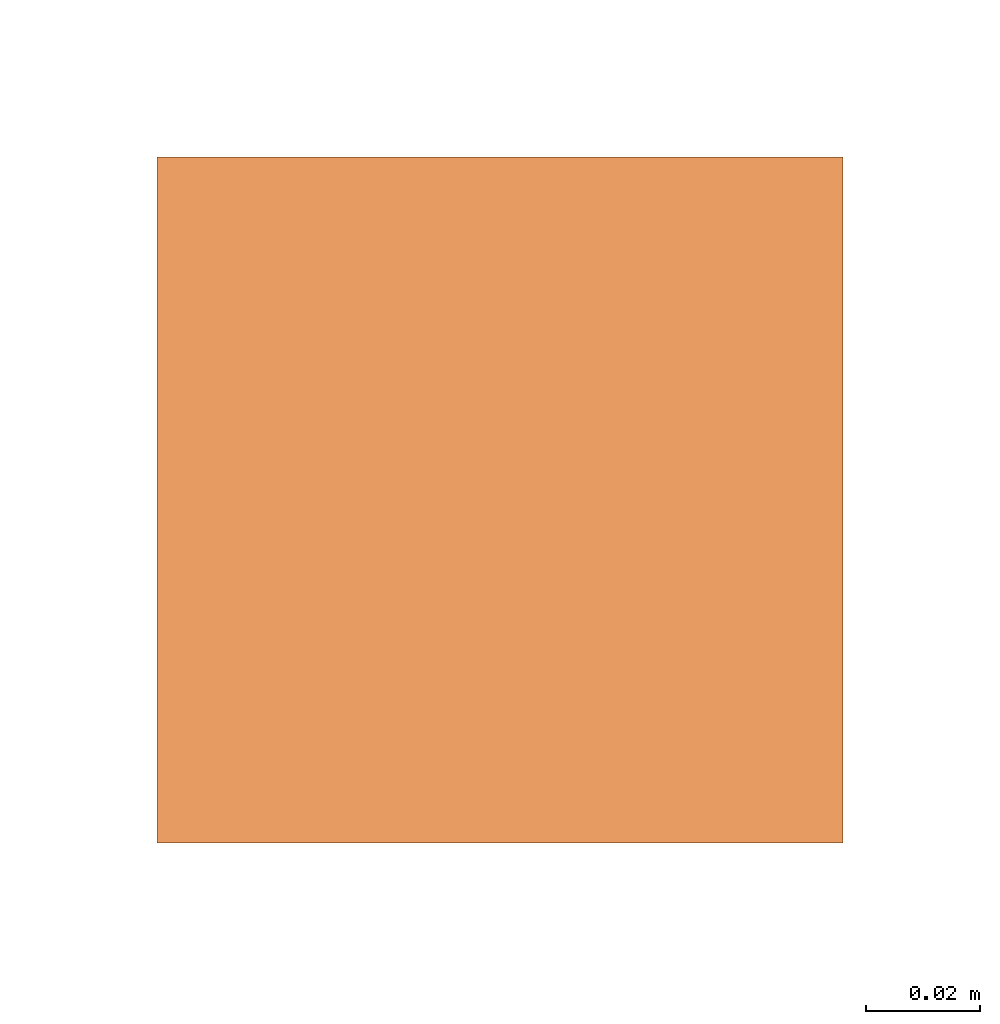
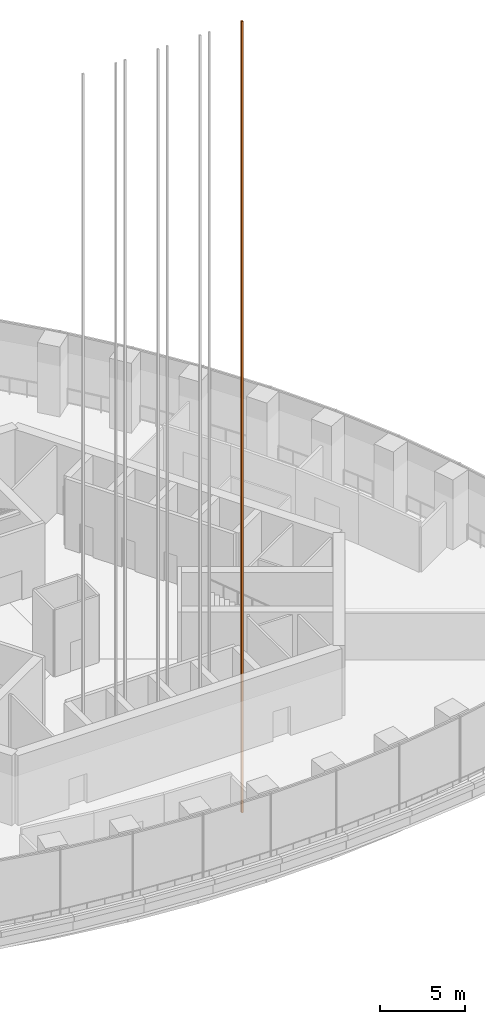
# One storey, part 26 of 26: 1 proxy.
"""IFC4 building model written with IfcOpenShell, lengths in metres."""

import ifcopenshell
import ifcopenshell.guid

model = None  # the IFC model being written
_history = None  # IfcOwnerHistory: only IFC2X3 demands one
_inside = {}  # id of a spatial element -> (the spatial element, [elements in it])
_under = {}  # id of a project, library or spatial element -> (it, [spatial elements below it])
_declared = {}  # id of a project -> (the project, [libraries it declares])
_typed = {}  # id of a type object -> (the type object, [elements of that type])
_made_of = {}  # id of a material, layer set ... -> (it, [elements and type objects made of it])


def new_model(schema):
    """Start an empty IFC model of exactly this schema.

    Asked for "IFC4X3", IfcOpenShell would pick the latest addendum, in which some entities
    have other attributes; the version numbers below select the first issue.
    IFC2X3 requires an IfcOwnerHistory on every rooted entity: one is made here for all.
    """
    global model, _history
    if schema == "IFC4X3":
        model = ifcopenshell.file(schema_version=(4, 3, 0, 0))
    else:
        model = ifcopenshell.file(schema=schema)
    _inside.clear()
    _under.clear()
    _declared.clear()
    _typed.clear()
    _made_of.clear()
    _history = None
    if model.schema == "IFC2X3":
        org = make("IfcOrganization", Name="unknown")
        user = make(
            "IfcPersonAndOrganization",
            ThePerson=make("IfcPerson", FamilyName="unknown"),
            TheOrganization=org,
        )
        app = make(
            "IfcApplication",
            ApplicationDeveloper=org,
            Version="unknown",
            ApplicationFullName="unknown",
            ApplicationIdentifier="unknown",
        )
        _history = make(
            "IfcOwnerHistory",
            OwningUser=user,
            OwningApplication=app,
            ChangeAction="ADDED",
            CreationDate=0,
        )
    return model


def make(cls, **values):
    """One entity of the class cls with the attributes given. An attribute that is None is left unset."""
    return model.create_entity(
        cls, **{name: value for name, value in values.items() if value is not None}
    )


def rooted(cls, **values):
    """An entity with a GlobalId (a new one), such as an element, a storey or a relation."""
    return make(cls, GlobalId=ifcopenshell.guid.new(), OwnerHistory=_history, **values)


def si_unit(unit_type, name, prefix=None):
    """IfcSIUnit, for example si_unit("LENGTHUNIT", "METRE", prefix="MILLI")."""
    return make("IfcSIUnit", UnitType=unit_type, Prefix=prefix, Name=name)


def assignment(units):
    """IfcUnitAssignment: the units of a project."""
    return None if units is None else make("IfcUnitAssignment", Units=units)


def point(xyz):
    """IfcCartesianPoint."""
    return None if xyz is None else make("IfcCartesianPoint", Coordinates=xyz)


def direction(xyz):
    """IfcDirection."""
    return None if xyz is None else make("IfcDirection", DirectionRatios=xyz)


def frame(location, z_axis=None, x_axis=None):
    """IfcAxis2Placement3D, a coordinate frame: its origin and axes. An axis left out is left unset."""
    return make(
        "IfcAxis2Placement3D",
        Location=point(location),
        Axis=direction(z_axis),
        RefDirection=direction(x_axis),
    )


def frame_2d(location, x_axis=None):
    """IfcAxis2Placement2D, a coordinate frame in the plane: its origin and x axis."""
    return make(
        "IfcAxis2Placement2D", Location=point(location), RefDirection=direction(x_axis)
    )


def origin():
    """The frame at (0, 0, 0) with its axes left unset."""
    return frame((0.0, 0.0, 0.0))


def origin_2d():
    """The frame at (0, 0) in the plane with its x axis left unset."""
    return frame_2d((0.0, 0.0))


def place(relative_to, where):
    """IfcLocalPlacement: puts the frame where relative to a parent placement (None: the world)."""
    return make(
        "IfcLocalPlacement", PlacementRelTo=relative_to, RelativePlacement=where
    )


def context(
    kind, dimensions, precision=None, world=None, true_north=None, identifier=None
):
    """IfcGeometricRepresentationContext, for example the 3D "Model" context."""
    return make(
        "IfcGeometricRepresentationContext",
        ContextIdentifier=identifier,
        ContextType=kind,
        CoordinateSpaceDimension=dimensions,
        Precision=precision,
        WorldCoordinateSystem=world,
        TrueNorth=true_north,
    )


def subcontext(parent, identifier, kind, view, scale=None):
    """IfcGeometricRepresentationSubContext, for example "Body" below "Model"."""
    return make(
        "IfcGeometricRepresentationSubContext",
        ContextIdentifier=identifier,
        ContextType=kind,
        ParentContext=parent,
        TargetScale=scale,
        TargetView=view,
    )


def project(units=None, contexts=None):
    """IfcProject with its units and contexts."""
    return rooted(
        "IfcProject",
        Name="project",
        RepresentationContexts=contexts,
        UnitsInContext=assignment(units),
    )


def spatial(cls, under=None, at=None, **own):
    """A site, building, storey or space (cls), placed at a placement, below another one or the project."""
    s = rooted(cls, ObjectPlacement=at, **own)
    if under is not None:
        _under.setdefault(under.id(), (under, []))[1].append(s)
    return s


def profile(cls, at=None, kind="AREA", **sizes):
    """A parametric profile (cls). Its sizes go by their IFC names, for example OverallWidth=200.0."""
    return make(cls, ProfileType=kind, Position=at, **sizes)


def rectangle(**sizes):
    """IfcRectangleProfileDef."""
    return profile("IfcRectangleProfileDef", **sizes)


def extrude(swept, where, along, depth):
    """IfcExtrudedAreaSolid: the profile swept, set in the frame where, extruded along a direction by depth."""
    return make(
        "IfcExtrudedAreaSolid",
        SweptArea=swept,
        Position=where,
        ExtrudedDirection=direction(along),
        Depth=depth,
    )


def shape(context_of_items, identifier, shape_type, items):
    """IfcShapeRepresentation: the items that make up one representation, for example the "Body"."""
    return make(
        "IfcShapeRepresentation",
        ContextOfItems=context_of_items,
        RepresentationIdentifier=identifier,
        RepresentationType=shape_type,
        Items=items,
    )


def made_of(thing, what):
    """Note that an element or type object is made of a material, layer set ...; save() writes the relation."""
    if what is not None:
        _made_of.setdefault(what.id(), (what, []))[1].append(thing)
    return thing


def element(
    cls,
    number,
    at=None,
    inside=None,
    cuts=None,
    type_object=None,
    material=None,
    context=None,
    identifier="Body",
    shape_type=None,
    held_by="IfcProductDefinitionShape",
    body=None,
    shapes=None,
    **own,
):
    """One element of the class cls, such as IfcWall. Its Tag is "e" and its number.

    at: its placement. inside: the storey or other place that contains it. cuts: it is an
    opening in that element (IfcRelVoidsElement). A single representation is given by context,
    identifier, shape_type and body (its items); several are given by shapes. held_by: the class
    of the entity that holds the representations. save() writes the other relations.
    """
    e = rooted(cls, Tag="e%d" % number, ObjectPlacement=at, **own)
    if body is not None:
        shapes = [shape(context, identifier, shape_type, body)]
    if shapes is not None:
        e.Representation = make(held_by, Representations=shapes)
    if inside is not None:
        _inside.setdefault(inside.id(), (inside, []))[1].append(e)
    if cuts is not None:
        rooted(
            "IfcRelVoidsElement", RelatingBuildingElement=cuts, RelatedOpeningElement=e
        )
    if type_object is not None:
        _typed.setdefault(type_object.id(), (type_object, []))[1].append(e)
    return made_of(e, material)


def aggregate(whole, parts):
    """IfcRelAggregates: a whole, such as a stair, and the parts it consists of."""
    return rooted("IfcRelAggregates", RelatingObject=whole, RelatedObjects=parts)


def save(model, path):
    """Write the relations noted so far, then the file.

    IfcRelAggregates (storeys below a building ...), IfcRelContainedInSpatialStructure (elements
    in a storey), IfcRelDefinesByType, IfcRelAssociatesMaterial and IfcRelDeclares: one each for
    every whole, place, type object, material and project.
    """
    for whole, parts in _under.values():
        aggregate(whole, parts)
    for where, things in _inside.values():
        rooted(
            "IfcRelContainedInSpatialStructure",
            RelatedElements=things,
            RelatingStructure=where,
        )
    for kind, things in _typed.values():
        rooted("IfcRelDefinesByType", RelatedObjects=things, RelatingType=kind)
    for what, things in _made_of.values():
        rooted("IfcRelAssociatesMaterial", RelatedObjects=things, RelatingMaterial=what)
    for by, libraries in _declared.values():
        rooted("IfcRelDeclares", RelatingContext=by, RelatedDefinitions=libraries)
    model.write(path)


model = new_model("IFC4")

# Units and contexts
model_context = context("Model", 3, precision=1e-05, world=origin(), true_north=direction((0.0, 1.0)))
body_context = subcontext(model_context, "Body", "Model", "MODEL_VIEW")
ifc_project = project(units=[si_unit("LENGTHUNIT", "METRE"), si_unit("AREAUNIT", "SQUARE_METRE"), si_unit("VOLUMEUNIT", "CUBIC_METRE"), si_unit("PLANEANGLEUNIT", "RADIAN"), si_unit("MASSUNIT", "GRAM", prefix="KILO")], contexts=[model_context])

# Site, building, storey
site_placement = place(None, origin())
site = spatial("IfcSite", under=ifc_project, at=site_placement, CompositionType="ELEMENT")
building_placement = place(site_placement, origin())
building = spatial("IfcBuilding", under=site, at=building_placement, Name="Trefoil Bronze Tower", CompositionType="ELEMENT")
storey_placement = place(building_placement, frame((0.0, 0.0, 271.300048828125)))
storey = spatial("IfcBuildingStorey", under=building, at=storey_placement, Name="L62", CompositionType="ELEMENT", Elevation=271.300048828125)

# Proxy
proxy_placement = place(storey_placement, frame((5.385009765625, -11.3125, -6.0), z_axis=(0.0, 0.0, 1.0), x_axis=(1.0, 0.0, 0.0)))
element("IfcBuildingElementProxy", 1, at=proxy_placement, inside=storey, Name="Lift P44 guide rail 2", ObjectType="LIFT GUIDE RAIL", PredefinedType="USERDEFINED", context=body_context, shape_type="SweptSolid", body=[
    extrude(rectangle(XDim=0.1201171875, YDim=0.1201171875, at=origin_2d()), origin(), (0.0, 0.0, 1.0), 56.64990234375),
])

save(model, "model.ifc")
